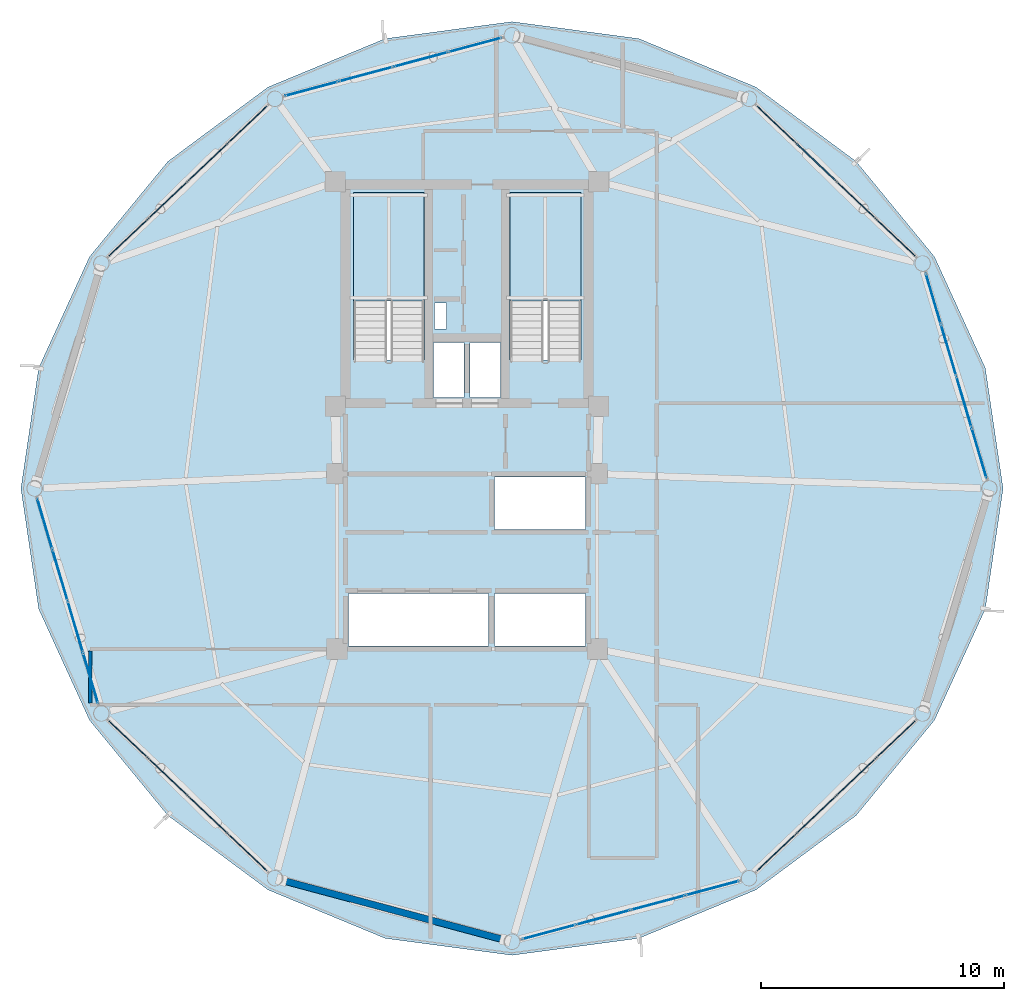
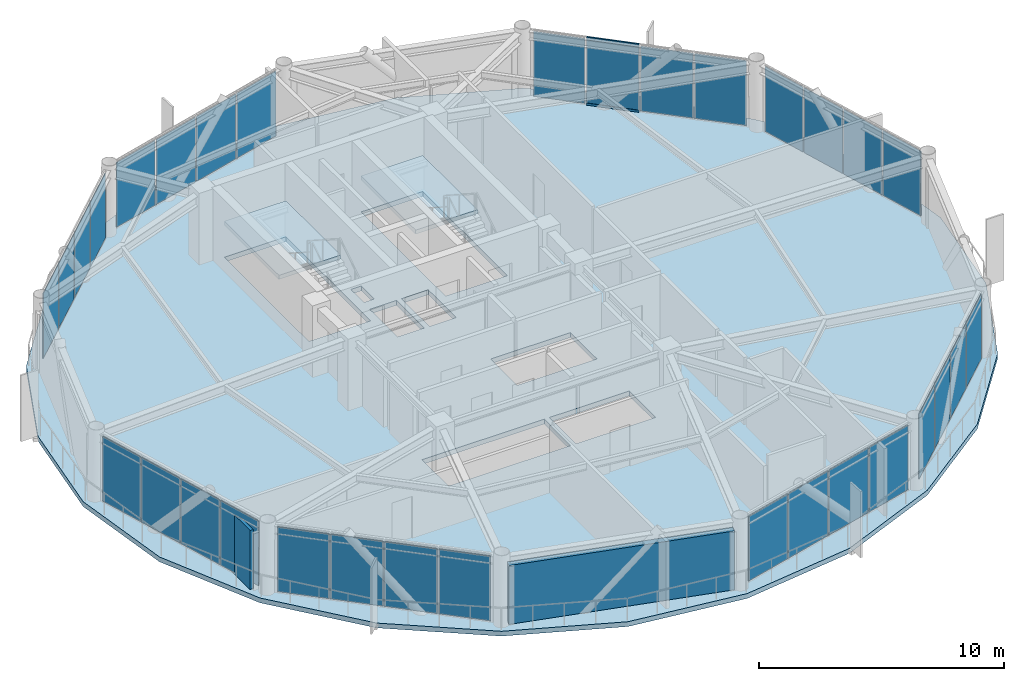
# One storey, part 21 of 28: 32 plates, 3 slabs, 2 members, 2 walls, 10 elements without a shape of their own.
"""IFC4 building model written with IfcOpenShell, lengths in metres."""

from ifc_helpers import new_model, si_unit, direction, frame, frame_2d, origin, origin_2d, place, context, subcontext, project, spatial, polyline, rectangle, hollow_rectangle, outline, extrude, source, transform, mapped, material, layer, layer_set, material_profile, profile_set, type_object, type_shapes, element, aggregate, save


model = new_model("IFC4")

# Units and contexts
model_context = context("Model", 3, precision=1e-05, world=origin(), true_north=direction((0.0, 1.0)))
body_context = subcontext(model_context, "Body", "Model", "MODEL_VIEW")
ifc_project = project(units=[si_unit("LENGTHUNIT", "METRE"), si_unit("AREAUNIT", "SQUARE_METRE"), si_unit("VOLUMEUNIT", "CUBIC_METRE"), si_unit("PLANEANGLEUNIT", "RADIAN"), si_unit("MASSUNIT", "GRAM", prefix="KILO")], contexts=[model_context])

# Site, building, storey
site_placement = place(None, origin())
site = spatial("IfcSite", under=ifc_project, at=site_placement, CompositionType="ELEMENT")
building_placement = place(site_placement, origin())
building = spatial("IfcBuilding", under=site, at=building_placement, Name="Varnakorn Sky Granary", CompositionType="ELEMENT")
storey_placement = place(building_placement, frame((0.0, 0.0, 186.0)))
storey = spatial("IfcBuildingStorey", under=building, at=storey_placement, Name="L46", CompositionType="ELEMENT", Elevation=186.0)

# Curtain wall, members
ifc_material_1 = material(Name="Anodised Bronze Aluminium Alloy 6063-T6", Category="aluminium")
ifc_layer_1 = layer(ifc_material_1, 0.169921875, Name="Anodised Bronze Aluminium Alloy 6063-T6")
ifc_layer_set_1 = layer_set([ifc_layer_1], Name="Anodised Bronze Aluminium Alloy 6063-T6")
curtain_wall_type = type_object("IfcCurtainWallType", Name="CW-LAB-1", PredefinedType="USERDEFINED", material=ifc_layer_set_1)
curtain_wall_1_placement = place(storey_placement, origin())
curtain_wall_1 = element("IfcCurtainWall", 1, at=curtain_wall_1_placement, inside=storey, type_object=curtain_wall_type, Name="Unitised Curtain Wall CW5 CW-L46-B02", ObjectType="CURTAIN WALL", PredefinedType="USERDEFINED")
ifc_material_profile = material_profile(ifc_material_1, hollow_rectangle(XDim=0.070068359375, YDim=0.139892578125, WallThickness=0.00341796875, at=origin_2d()), Name="ALU TRAN 70x140")
ifc_profile_set = profile_set([ifc_material_profile], Name="Anodised Bronze Aluminium Alloy 6063-T6")
member_type = type_object("IfcMemberType", Name="CW-LAB-1-TRAN", PredefinedType="USERDEFINED", material=ifc_profile_set)
member_1_placement = place(storey_placement, frame((16.556396484375, 14.18212890625, 0.034912109375), z_axis=(0.725439559585, -0.688285874757, 0.0), x_axis=(0.688285874757, 0.725439559585, 0.0)))
member_1 = element("IfcMember", 2, at=member_1_placement, type_object=member_type, Name="CW5 transom 2.1", ObjectType="TRANSOM", PredefinedType="USERDEFINED", context=body_context, shape_type="SweptSolid", body=[
    extrude(hollow_rectangle(XDim=0.070068359375, YDim=0.139892578125, WallThickness=0.00341796875, at=origin_2d()), origin(), (0.0, 0.0, 1.0), 2.201416015625),
])
member_2_placement = place(storey_placement, frame((16.556396484375, 14.18212890625, 3.324951171875), z_axis=(0.725439559585, -0.688285874757, 0.0), x_axis=(0.688285874757, 0.725439559585, 0.0)))
member_2 = element("IfcMember", 3, at=member_2_placement, type_object=member_type, Name="CW5 transom 2.2", ObjectType="TRANSOM", PredefinedType="USERDEFINED", context=body_context, shape_type="SweptSolid", body=[
    extrude(hollow_rectangle(XDim=0.070068359375, YDim=0.139892578125, WallThickness=0.00341796875, at=origin_2d()), origin(), (0.0, 0.0, 1.0), 2.201416015625),
])

# Stair, slab
ifc_material_2 = material(Name="Concrete C40/50", Category="concrete")
stair_type = type_object("IfcStairType", Name="ST-MAIN-ASSEMBLY", PredefinedType="HALF_TURN_STAIR", material=ifc_material_2)
stair_1_placement = place(storey_placement, origin())
stair_1 = element("IfcStair", 4, at=stair_1_placement, inside=storey, type_object=stair_type, Name="L46 Protected Exit Stair ST-1", PredefinedType="HALF_TURN_STAIR")
ifc_layer_2 = layer(ifc_material_2, 0.199951171875, Name="Concrete C40/50")
ifc_layer_set_2 = layer_set([ifc_layer_2], Name="Concrete C40/50")
slab_type_1 = type_object("IfcSlabType", Name="ST-MAIN-LAND", PredefinedType="LANDING", material=ifc_layer_set_2)
slab_1_placement = place(storey_placement, frame((0.0, 0.0, 1.60009765625)))
slab_1 = element("IfcSlab", 5, at=slab_1_placement, type_object=slab_type_1, Name="ST-1 landing 1", PredefinedType="LANDING", context=body_context, shape_type="SweptSolid", body=[
    extrude(outline(polyline([(1.239990234375, 7.719970703125), (1.239990234375, 12.179931640625), (-1.669921875, 12.179931640625), (-1.669921875, 7.719970703125), (1.239990234375, 7.719970703125)])), origin(), (0.0, 0.0, 1.0), 0.199951171875),
])
aggregate(stair_1, [slab_1])

stair_2_placement = place(storey_placement, origin())
stair_2 = element("IfcStair", 6, at=stair_2_placement, inside=storey, type_object=stair_type, Name="L46 Protected Exit Stair ST-2", PredefinedType="HALF_TURN_STAIR")
slab_2_placement = place(storey_placement, frame((0.0, 0.0, 1.60009765625)))
slab_2 = element("IfcSlab", 7, at=slab_2_placement, type_object=slab_type_1, Name="ST-2 landing 1", PredefinedType="LANDING", context=body_context, shape_type="SweptSolid", body=[
    extrude(outline(polyline([(7.679931640625, 7.719970703125), (7.679931640625, 12.179931640625), (4.77001953125, 12.179931640625), (4.77001953125, 7.719970703125), (7.679931640625, 7.719970703125)])), origin(), (0.0, 0.0, 1.0), 0.199951171875),
])
aggregate(stair_2, [slab_2])

# Slab
ifc_material_3 = material(Name="Concrete C50/60", Category="concrete")
ifc_layer_3 = layer(ifc_material_3, 0.239990234375, Name="Concrete C50/60")
ifc_layer_set_3 = layer_set([ifc_layer_3], Name="Concrete C50/60")
slab_type_2 = type_object("IfcSlabType", Name="ST-SL-TWR-240", PredefinedType="FLOOR", material=ifc_layer_set_3)
slab_3_placement = place(storey_placement, frame((0.0, 0.0, -0.239990234375)))
element("IfcSlab", 8, at=slab_3_placement, inside=storey, type_object=slab_type_2, Name="Level L46 Structural Floor Slab", PredefinedType="FLOOR", context=body_context, shape_type="SweptSolid", body=[
    extrude(outline(polyline([(25.047119140625, 0.0), (24.315185546875, 4.957275390625), (22.22412109375, 9.531494140625), (19.004150390625, 13.44775390625), (14.881103515625, 16.509033203125), (10.065673828125, 18.50048828125), (4.85009765625, 19.197998046875), (-0.36572265625, 18.50048828125), (-5.180908203125, 16.509033203125), (-9.30419921875, 13.44775390625), (-12.524169921875, 9.531494140625), (-14.615234375, 4.957275390625), (-15.346923828125, 0.0), (-14.615234375, -4.957275390625), (-12.524169921875, -9.531494140625), (-9.30419921875, -13.44775390625), (-5.180908203125, -16.509033203125), (-0.36572265625, -18.50048828125), (4.85009765625, -19.197998046875), (10.065673828125, -18.50048828125), (14.881103515625, -16.509033203125), (19.004150390625, -13.44775390625), (22.22412109375, -9.531494140625), (24.315185546875, -4.957275390625), (25.047119140625, 0.0)]), holes=[polyline([(1.239990234375, 5.27490234375), (1.239990234375, 12.179931640625), (-1.669921875, 12.179931640625), (-1.669921875, 5.27490234375), (1.239990234375, 5.27490234375)]), polyline([(7.679931640625, 5.27490234375), (7.679931640625, 12.179931640625), (4.77001953125, 12.179931640625), (4.77001953125, 5.27490234375), (7.679931640625, 5.27490234375)]), polyline([(1.659912109375, 6.550048828125), (2.14990234375, 6.550048828125), (2.14990234375, 7.6201171875), (1.659912109375, 7.6201171875), (1.659912109375, 6.550048828125)]), polyline([(1.6201171875, 3.739990234375), (2.8798828125, 3.739990234375), (2.8798828125, 6.010009765625), (1.6201171875, 6.010009765625), (1.6201171875, 3.739990234375)]), polyline([(3.1201171875, 3.739990234375), (4.3798828125, 3.739990234375), (4.3798828125, 6.010009765625), (3.1201171875, 6.010009765625), (3.1201171875, 3.739990234375)]), polyline([(4.1201171875, -1.679931640625), (7.8798828125, -1.679931640625), (7.8798828125, 0.47998046875), (4.1201171875, 0.47998046875), (4.1201171875, -1.679931640625)]), polyline([(-1.8798828125, -6.47998046875), (3.8798828125, -6.47998046875), (3.8798828125, -4.320068359375), (-1.8798828125, -4.320068359375), (-1.8798828125, -6.47998046875)]), polyline([(4.1201171875, -6.47998046875), (7.8798828125, -6.47998046875), (7.8798828125, -4.320068359375), (4.1201171875, -4.320068359375), (4.1201171875, -6.47998046875)])]), origin(), (0.0, 0.0, 1.0), 0.239990234375),
])

# Curtain wall, plates
curtain_wall_2_placement = place(storey_placement, origin())
curtain_wall_2 = element("IfcCurtainWall", 9, at=curtain_wall_2_placement, inside=storey, type_object=curtain_wall_type, Name="Unitised Curtain Wall CW5 CW-L46-B01", ObjectType="CURTAIN WALL", PredefinedType="USERDEFINED")
ifc_material_4 = material(Name="Low-E Tinted Laminated Glass", Category="glass")
ifc_layer_4 = layer(ifc_material_4, 0.033935546875, Name="Low-E Tinted Laminated Glass")
ifc_layer_set_4 = layer_set([ifc_layer_4], Name="Low-E Tinted Laminated Glass")
plate_type = type_object("IfcPlateType", Name="CW-LAB-1-PNL", PredefinedType="CURTAIN_PANEL")
shared_shape_1 = source(origin(), body_context, "Body", "SweptSolid", [
    extrude(rectangle(XDim=2.12158203125, YDim=0.033935546875, at=origin_2d()), origin(), (0.0, 0.0, 1.0), 3.219970703125),
])
plate_1_placement = place(storey_placement, frame((22.179443359375, 7.803466796875, 0.06982421875), z_axis=(0.0, 0.0, 1.0), x_axis=(0.28471007465, -0.958613672651, 0.0)))
plate_1 = element("IfcPlate", 10, at=plate_1_placement, type_object=plate_type, material=ifc_layer_set_4, Name="CW5 vision glazing unit 1.1", PredefinedType="CURTAIN_PANEL", context=body_context, shape_type="MappedRepresentation", body=[
    mapped(shared_shape_1, transform((0.0, 0.0, 0.0), x_axis=(1.0, 0.0, 0.0), y_axis=(0.0, 1.0, 0.0), z_axis=(0.0, 0.0, 1.0), scale=1.0)),
])
plate_2_placement = place(storey_placement, frame((24.0654296875, 1.453125, 0.06982421875), z_axis=(0.0, 0.0, 1.0), x_axis=(0.28471007465, -0.958613672651, 0.0)))
plate_2 = element("IfcPlate", 11, at=plate_2_placement, type_object=plate_type, material=ifc_layer_set_4, Name="CW5 vision glazing unit 4.1", PredefinedType="CURTAIN_PANEL", context=body_context, shape_type="MappedRepresentation", body=[
    mapped(shared_shape_1, transform((0.0, 0.0, 0.0), x_axis=(1.0, 0.0, 0.0), y_axis=(0.0, 1.0, 0.0), z_axis=(0.0, 0.0, 1.0), scale=1.0)),
])

curtain_wall_3_placement = place(storey_placement, origin())
curtain_wall_3 = element("IfcCurtainWall", 12, at=curtain_wall_3_placement, inside=storey, type_object=curtain_wall_type, Name="Unitised Curtain Wall CW5 CW-L46-B07", ObjectType="CURTAIN WALL", PredefinedType="USERDEFINED")
plate_3_placement = place(storey_placement, frame((-12.4794921875, -7.803466796875, 0.06982421875), z_axis=(0.0, 0.0, 1.0), x_axis=(-0.28471007465, 0.958613672651, 0.0)))
plate_3 = element("IfcPlate", 13, at=plate_3_placement, type_object=plate_type, material=ifc_layer_set_4, Name="CW5 vision glazing unit 1.1", PredefinedType="CURTAIN_PANEL", context=body_context, shape_type="MappedRepresentation", body=[
    mapped(shared_shape_1, transform((0.0, 0.0, 0.0), x_axis=(1.0, 0.0, 0.0), y_axis=(0.0, 1.0, 0.0), z_axis=(0.0, 0.0, 1.0), scale=1.0)),
])
plate_4_placement = place(storey_placement, frame((-14.365478515625, -1.453125, 0.06982421875), z_axis=(0.0, 0.0, 1.0), x_axis=(-0.28471007465, 0.958613672651, 0.0)))
plate_4 = element("IfcPlate", 14, at=plate_4_placement, type_object=plate_type, material=ifc_layer_set_4, Name="CW5 vision glazing unit 4.1", PredefinedType="CURTAIN_PANEL", context=body_context, shape_type="MappedRepresentation", body=[
    mapped(shared_shape_1, transform((0.0, 0.0, 0.0), x_axis=(1.0, 0.0, 0.0), y_axis=(0.0, 1.0, 0.0), z_axis=(0.0, 0.0, 1.0), scale=1.0)),
])

# Plate
ifc_material_5 = material(Name="Opaque Insulated Aluminium Shadow-Box Unit", Category="aluminium")
ifc_layer_5 = layer(ifc_material_5, 0.033935546875, Name="Opaque Insulated Aluminium Shadow-Box Unit")
ifc_layer_set_5 = layer_set([ifc_layer_5], Name="Opaque Insulated Aluminium Shadow-Box Unit")
shared_shape_2 = source(origin(), body_context, "Body", "SweptSolid", [
    extrude(rectangle(XDim=2.154052734375, YDim=0.033935546875, at=origin_2d()), origin(), (0.0, 0.0, 1.0), 3.219970703125),
])
plate_5_placement = place(storey_placement, frame((22.806640625, 5.69189453125, 0.06982421875), z_axis=(0.0, 0.0, 1.0), x_axis=(0.28471007465, -0.958613672651, 0.0)))
plate_5 = element("IfcPlate", 15, at=plate_5_placement, type_object=plate_type, material=ifc_layer_set_5, Name="CW5 opaque insulated shadow-box unit 2.1", PredefinedType="CURTAIN_PANEL", context=body_context, shape_type="MappedRepresentation", body=[
    mapped(shared_shape_2, transform((0.0, 0.0, 0.0), x_axis=(1.0, 0.0, 0.0), y_axis=(0.0, 1.0, 0.0), z_axis=(0.0, 0.0, 1.0), scale=1.0)),
])

plate_6_placement = place(storey_placement, frame((23.438232421875, 3.564697265625, 0.06982421875), z_axis=(0.0, 0.0, 1.0), x_axis=(0.28471007465, -0.958613672651, 0.0)))
plate_6 = element("IfcPlate", 16, at=plate_6_placement, type_object=plate_type, material=ifc_layer_set_5, Name="CW5 opaque insulated shadow-box unit 3.1", PredefinedType="CURTAIN_PANEL", context=body_context, shape_type="MappedRepresentation", body=[
    mapped(shared_shape_2, transform((0.0, 0.0, 0.0), x_axis=(1.0, 0.0, 0.0), y_axis=(0.0, 1.0, 0.0), z_axis=(0.0, 0.0, 1.0), scale=1.0)),
])

aggregate(curtain_wall_2, [plate_1, plate_5, plate_6, plate_2])

plate_7_placement = place(storey_placement, frame((-13.1064453125, -5.69189453125, 0.06982421875), z_axis=(0.0, 0.0, 1.0), x_axis=(-0.28471007465, 0.958613672651, 0.0)))
plate_7 = element("IfcPlate", 17, at=plate_7_placement, type_object=plate_type, material=ifc_layer_set_5, Name="CW5 opaque insulated shadow-box unit 2.1", PredefinedType="CURTAIN_PANEL", context=body_context, shape_type="MappedRepresentation", body=[
    mapped(shared_shape_2, transform((0.0, 0.0, 0.0), x_axis=(1.0, 0.0, 0.0), y_axis=(0.0, 1.0, 0.0), z_axis=(0.0, 0.0, 1.0), scale=1.0)),
])

plate_8_placement = place(storey_placement, frame((-13.73828125, -3.564697265625, 0.06982421875), z_axis=(0.0, 0.0, 1.0), x_axis=(-0.28471007465, 0.958613672651, 0.0)))
plate_8 = element("IfcPlate", 18, at=plate_8_placement, type_object=plate_type, material=ifc_layer_set_5, Name="CW5 opaque insulated shadow-box unit 3.1", PredefinedType="CURTAIN_PANEL", context=body_context, shape_type="MappedRepresentation", body=[
    mapped(shared_shape_2, transform((0.0, 0.0, 0.0), x_axis=(1.0, 0.0, 0.0), y_axis=(0.0, 1.0, 0.0), z_axis=(0.0, 0.0, 1.0), scale=1.0)),
])

aggregate(curtain_wall_3, [plate_3, plate_7, plate_8, plate_4])

shared_shape_3 = source(origin(), body_context, "Body", "SweptSolid", [
    extrude(rectangle(XDim=2.168701171875, YDim=0.033935546875, at=origin_2d()), origin(), (0.0, 0.0, 1.0), 3.219970703125),
])
plate_9_placement = place(storey_placement, frame((15.72265625, 14.97314453125, 0.06982421875), z_axis=(0.0, 0.0, 1.0), x_axis=(0.725434180325, -0.688291544345, 0.0)))
plate_9 = element("IfcPlate", 19, at=plate_9_placement, type_object=plate_type, material=ifc_layer_set_4, Name="CW5 vision glazing unit 1.1", PredefinedType="CURTAIN_PANEL", context=body_context, shape_type="MappedRepresentation", body=[
    mapped(shared_shape_3, transform((0.0, 0.0, 0.0), x_axis=(1.0, 0.0, 0.0), y_axis=(0.0, 1.0, 0.0), z_axis=(0.0, 0.0, 1.0), scale=1.0)),
])

plate_10_placement = place(storey_placement, frame((20.631103515625, 10.31591796875, 0.06982421875), z_axis=(0.0, 0.0, 1.0), x_axis=(0.725434180325, -0.688291544345, 0.0)))
plate_10 = element("IfcPlate", 20, at=plate_10_placement, type_object=plate_type, material=ifc_layer_set_4, Name="CW5 vision glazing unit 4.1", PredefinedType="CURTAIN_PANEL", context=body_context, shape_type="MappedRepresentation", body=[
    mapped(shared_shape_3, transform((0.0, 0.0, 0.0), x_axis=(1.0, 0.0, 0.0), y_axis=(0.0, 1.0, 0.0), z_axis=(0.0, 0.0, 1.0), scale=1.0)),
])

# Curtain wall, plates
curtain_wall_4_placement = place(storey_placement, origin())
curtain_wall_4 = element("IfcCurtainWall", 21, at=curtain_wall_4_placement, inside=storey, type_object=curtain_wall_type, Name="Unitised Curtain Wall CW5 CW-L46-B05", ObjectType="CURTAIN WALL", PredefinedType="USERDEFINED")
plate_11_placement = place(storey_placement, frame((-10.93115234375, 10.31591796875, 0.06982421875), z_axis=(0.0, 0.0, 1.0), x_axis=(0.725434180325, 0.688291544345, 0.0)))
plate_11 = element("IfcPlate", 22, at=plate_11_placement, type_object=plate_type, material=ifc_layer_set_4, Name="CW5 vision glazing unit 1.1", PredefinedType="CURTAIN_PANEL", context=body_context, shape_type="MappedRepresentation", body=[
    mapped(shared_shape_3, transform((0.0, 0.0, 0.0), x_axis=(1.0, 0.0, 0.0), y_axis=(0.0, 1.0, 0.0), z_axis=(0.0, 0.0, 1.0), scale=1.0)),
])
plate_12_placement = place(storey_placement, frame((-6.022705078125, 14.97314453125, 0.06982421875), z_axis=(0.0, 0.0, 1.0), x_axis=(0.725434180325, 0.688291544345, 0.0)))
plate_12 = element("IfcPlate", 23, at=plate_12_placement, type_object=plate_type, material=ifc_layer_set_4, Name="CW5 vision glazing unit 4.1", PredefinedType="CURTAIN_PANEL", context=body_context, shape_type="MappedRepresentation", body=[
    mapped(shared_shape_3, transform((0.0, 0.0, 0.0), x_axis=(1.0, 0.0, 0.0), y_axis=(0.0, 1.0, 0.0), z_axis=(0.0, 0.0, 1.0), scale=1.0)),
])

curtain_wall_5_placement = place(storey_placement, origin())
curtain_wall_5 = element("IfcCurtainWall", 24, at=curtain_wall_5_placement, inside=storey, type_object=curtain_wall_type, Name="Unitised Curtain Wall CW5 CW-L46-B08", ObjectType="CURTAIN WALL", PredefinedType="USERDEFINED")
plate_13_placement = place(storey_placement, frame((-6.022705078125, -14.97314453125, 0.06982421875), z_axis=(0.0, 0.0, 1.0), x_axis=(-0.725434180325, 0.688291544345, 0.0)))
plate_13 = element("IfcPlate", 25, at=plate_13_placement, type_object=plate_type, material=ifc_layer_set_4, Name="CW5 vision glazing unit 1.1", PredefinedType="CURTAIN_PANEL", context=body_context, shape_type="MappedRepresentation", body=[
    mapped(shared_shape_3, transform((0.0, 0.0, 0.0), x_axis=(1.0, 0.0, 0.0), y_axis=(0.0, 1.0, 0.0), z_axis=(0.0, 0.0, 1.0), scale=1.0)),
])
plate_14_placement = place(storey_placement, frame((-10.93115234375, -10.31591796875, 0.06982421875), z_axis=(0.0, 0.0, 1.0), x_axis=(-0.725434180325, 0.688291544345, 0.0)))
plate_14 = element("IfcPlate", 26, at=plate_14_placement, type_object=plate_type, material=ifc_layer_set_4, Name="CW5 vision glazing unit 4.1", PredefinedType="CURTAIN_PANEL", context=body_context, shape_type="MappedRepresentation", body=[
    mapped(shared_shape_3, transform((0.0, 0.0, 0.0), x_axis=(1.0, 0.0, 0.0), y_axis=(0.0, 1.0, 0.0), z_axis=(0.0, 0.0, 1.0), scale=1.0)),
])

curtain_wall_6_placement = place(storey_placement, origin())
curtain_wall_6 = element("IfcCurtainWall", 27, at=curtain_wall_6_placement, inside=storey, type_object=curtain_wall_type, Name="Unitised Curtain Wall CW5 CW-L46-B11", ObjectType="CURTAIN WALL", PredefinedType="USERDEFINED")
plate_15_placement = place(storey_placement, frame((20.631103515625, -10.31591796875, 0.06982421875), z_axis=(0.0, 0.0, 1.0), x_axis=(-0.725434180325, -0.688291544345, 0.0)))
plate_15 = element("IfcPlate", 28, at=plate_15_placement, type_object=plate_type, material=ifc_layer_set_4, Name="CW5 vision glazing unit 1.1", PredefinedType="CURTAIN_PANEL", context=body_context, shape_type="MappedRepresentation", body=[
    mapped(shared_shape_3, transform((0.0, 0.0, 0.0), x_axis=(1.0, 0.0, 0.0), y_axis=(0.0, 1.0, 0.0), z_axis=(0.0, 0.0, 1.0), scale=1.0)),
])
plate_16_placement = place(storey_placement, frame((15.72265625, -14.97314453125, 0.06982421875), z_axis=(0.0, 0.0, 1.0), x_axis=(-0.725434180325, -0.688291544345, 0.0)))
plate_16 = element("IfcPlate", 29, at=plate_16_placement, type_object=plate_type, material=ifc_layer_set_4, Name="CW5 vision glazing unit 4.1", PredefinedType="CURTAIN_PANEL", context=body_context, shape_type="MappedRepresentation", body=[
    mapped(shared_shape_3, transform((0.0, 0.0, 0.0), x_axis=(1.0, 0.0, 0.0), y_axis=(0.0, 1.0, 0.0), z_axis=(0.0, 0.0, 1.0), scale=1.0)),
])

# Plate
shared_shape_4 = source(origin(), body_context, "Body", "SweptSolid", [
    extrude(rectangle(XDim=2.201171875, YDim=0.033935546875, at=origin_2d()), origin(), (0.0, 0.0, 1.0), 3.219970703125),
])
plate_17_placement = place(storey_placement, frame((17.35498046875, 13.424560546875, 0.06982421875), z_axis=(0.0, 0.0, 1.0), x_axis=(0.725434180325, -0.688291544345, 0.0)))
plate_17 = element("IfcPlate", 30, at=plate_17_placement, type_object=plate_type, material=ifc_layer_set_5, Name="CW5 opaque insulated shadow-box unit 2.1", PredefinedType="CURTAIN_PANEL", context=body_context, shape_type="MappedRepresentation", body=[
    mapped(shared_shape_4, transform((0.0, 0.0, 0.0), x_axis=(1.0, 0.0, 0.0), y_axis=(0.0, 1.0, 0.0), z_axis=(0.0, 0.0, 1.0), scale=1.0)),
])

plate_18_placement = place(storey_placement, frame((18.9990234375, 11.86474609375, 0.06982421875), z_axis=(0.0, 0.0, 1.0), x_axis=(0.725434180325, -0.688291544345, 0.0)))
plate_18 = element("IfcPlate", 31, at=plate_18_placement, type_object=plate_type, material=ifc_layer_set_5, Name="CW5 opaque insulated shadow-box unit 3.1", PredefinedType="CURTAIN_PANEL", context=body_context, shape_type="MappedRepresentation", body=[
    mapped(shared_shape_4, transform((0.0, 0.0, 0.0), x_axis=(1.0, 0.0, 0.0), y_axis=(0.0, 1.0, 0.0), z_axis=(0.0, 0.0, 1.0), scale=1.0)),
])

aggregate(curtain_wall_1, [plate_9, member_1, member_2, plate_17, plate_18, plate_10])

plate_19_placement = place(storey_placement, frame((-9.299072265625, 11.86474609375, 0.06982421875), z_axis=(0.0, 0.0, 1.0), x_axis=(0.725434180325, 0.688291544345, 0.0)))
plate_19 = element("IfcPlate", 32, at=plate_19_placement, type_object=plate_type, material=ifc_layer_set_5, Name="CW5 opaque insulated shadow-box unit 2.1", PredefinedType="CURTAIN_PANEL", context=body_context, shape_type="MappedRepresentation", body=[
    mapped(shared_shape_4, transform((0.0, 0.0, 0.0), x_axis=(1.0, 0.0, 0.0), y_axis=(0.0, 1.0, 0.0), z_axis=(0.0, 0.0, 1.0), scale=1.0)),
])

plate_20_placement = place(storey_placement, frame((-7.655029296875, 13.424560546875, 0.06982421875), z_axis=(0.0, 0.0, 1.0), x_axis=(0.725434180325, 0.688291544345, 0.0)))
plate_20 = element("IfcPlate", 33, at=plate_20_placement, type_object=plate_type, material=ifc_layer_set_5, Name="CW5 opaque insulated shadow-box unit 3.1", PredefinedType="CURTAIN_PANEL", context=body_context, shape_type="MappedRepresentation", body=[
    mapped(shared_shape_4, transform((0.0, 0.0, 0.0), x_axis=(1.0, 0.0, 0.0), y_axis=(0.0, 1.0, 0.0), z_axis=(0.0, 0.0, 1.0), scale=1.0)),
])

aggregate(curtain_wall_4, [plate_11, plate_19, plate_20, plate_12])

plate_21_placement = place(storey_placement, frame((-7.655029296875, -13.424560546875, 0.06982421875), z_axis=(0.0, 0.0, 1.0), x_axis=(-0.725434180325, 0.688291544345, 0.0)))
plate_21 = element("IfcPlate", 34, at=plate_21_placement, type_object=plate_type, material=ifc_layer_set_5, Name="CW5 opaque insulated shadow-box unit 2.1", PredefinedType="CURTAIN_PANEL", context=body_context, shape_type="MappedRepresentation", body=[
    mapped(shared_shape_4, transform((0.0, 0.0, 0.0), x_axis=(1.0, 0.0, 0.0), y_axis=(0.0, 1.0, 0.0), z_axis=(0.0, 0.0, 1.0), scale=1.0)),
])

plate_22_placement = place(storey_placement, frame((-9.299072265625, -11.86474609375, 0.06982421875), z_axis=(0.0, 0.0, 1.0), x_axis=(-0.725434180325, 0.688291544345, 0.0)))
plate_22 = element("IfcPlate", 35, at=plate_22_placement, type_object=plate_type, material=ifc_layer_set_5, Name="CW5 opaque insulated shadow-box unit 3.1", PredefinedType="CURTAIN_PANEL", context=body_context, shape_type="MappedRepresentation", body=[
    mapped(shared_shape_4, transform((0.0, 0.0, 0.0), x_axis=(1.0, 0.0, 0.0), y_axis=(0.0, 1.0, 0.0), z_axis=(0.0, 0.0, 1.0), scale=1.0)),
])

aggregate(curtain_wall_5, [plate_13, plate_21, plate_22, plate_14])

plate_23_placement = place(storey_placement, frame((18.9990234375, -11.86474609375, 0.06982421875), z_axis=(0.0, 0.0, 1.0), x_axis=(-0.725434180325, -0.688291544345, 0.0)))
plate_23 = element("IfcPlate", 36, at=plate_23_placement, type_object=plate_type, material=ifc_layer_set_5, Name="CW5 opaque insulated shadow-box unit 2.1", PredefinedType="CURTAIN_PANEL", context=body_context, shape_type="MappedRepresentation", body=[
    mapped(shared_shape_4, transform((0.0, 0.0, 0.0), x_axis=(1.0, 0.0, 0.0), y_axis=(0.0, 1.0, 0.0), z_axis=(0.0, 0.0, 1.0), scale=1.0)),
])

plate_24_placement = place(storey_placement, frame((17.35498046875, -13.424560546875, 0.06982421875), z_axis=(0.0, 0.0, 1.0), x_axis=(-0.725434180325, -0.688291544345, 0.0)))
plate_24 = element("IfcPlate", 37, at=plate_24_placement, type_object=plate_type, material=ifc_layer_set_5, Name="CW5 opaque insulated shadow-box unit 3.1", PredefinedType="CURTAIN_PANEL", context=body_context, shape_type="MappedRepresentation", body=[
    mapped(shared_shape_4, transform((0.0, 0.0, 0.0), x_axis=(1.0, 0.0, 0.0), y_axis=(0.0, 1.0, 0.0), z_axis=(0.0, 0.0, 1.0), scale=1.0)),
])

aggregate(curtain_wall_6, [plate_15, plate_23, plate_24, plate_16])

# Curtain wall, plates
curtain_wall_7_placement = place(storey_placement, origin())
curtain_wall_7 = element("IfcCurtainWall", 38, at=curtain_wall_7_placement, inside=storey, type_object=curtain_wall_type, Name="Unitised Curtain Wall CW5 CW-L46-B04", ObjectType="CURTAIN WALL", PredefinedType="USERDEFINED")
shared_shape_5 = source(origin(), body_context, "Body", "SweptSolid", [
    extrude(rectangle(XDim=2.232666015625, YDim=0.033935546875, at=origin_2d()), origin(), (0.0, 0.0, 1.0), 3.219970703125),
])
plate_25_placement = place(storey_placement, frame((-3.38818359375, 16.439453125, 0.06982421875), z_axis=(0.0, 0.0, 1.0), x_axis=(0.965897372258, 0.258925213654, 0.0)))
plate_25 = element("IfcPlate", 39, at=plate_25_placement, type_object=plate_type, material=ifc_layer_set_4, Name="CW5 vision glazing unit 1.1", PredefinedType="CURTAIN_PANEL", context=body_context, shape_type="MappedRepresentation", body=[
    mapped(shared_shape_5, transform((0.0, 0.0, 0.0), x_axis=(1.0, 0.0, 0.0), y_axis=(0.0, 1.0, 0.0), z_axis=(0.0, 0.0, 1.0), scale=1.0)),
])
plate_26_placement = place(storey_placement, frame((3.332275390625, 18.2412109375, 0.06982421875), z_axis=(0.0, 0.0, 1.0), x_axis=(0.965897372258, 0.258925213654, 0.0)))
plate_26 = element("IfcPlate", 40, at=plate_26_placement, type_object=plate_type, material=ifc_layer_set_4, Name="CW5 vision glazing unit 4.1", PredefinedType="CURTAIN_PANEL", context=body_context, shape_type="MappedRepresentation", body=[
    mapped(shared_shape_5, transform((0.0, 0.0, 0.0), x_axis=(1.0, 0.0, 0.0), y_axis=(0.0, 1.0, 0.0), z_axis=(0.0, 0.0, 1.0), scale=1.0)),
])

curtain_wall_8_placement = place(storey_placement, origin())
curtain_wall_8 = element("IfcCurtainWall", 41, at=curtain_wall_8_placement, inside=storey, type_object=curtain_wall_type, Name="Unitised Curtain Wall CW5 CW-L46-B10", ObjectType="CURTAIN WALL", PredefinedType="USERDEFINED")
plate_27_placement = place(storey_placement, frame((13.08837890625, -16.439453125, 0.06982421875), z_axis=(0.0, 0.0, 1.0), x_axis=(-0.965897372258, -0.258925213654, 0.0)))
plate_27 = element("IfcPlate", 42, at=plate_27_placement, type_object=plate_type, material=ifc_layer_set_4, Name="CW5 vision glazing unit 1.1", PredefinedType="CURTAIN_PANEL", context=body_context, shape_type="MappedRepresentation", body=[
    mapped(shared_shape_5, transform((0.0, 0.0, 0.0), x_axis=(1.0, 0.0, 0.0), y_axis=(0.0, 1.0, 0.0), z_axis=(0.0, 0.0, 1.0), scale=1.0)),
])
plate_28_placement = place(storey_placement, frame((6.36767578125, -18.2412109375, 0.06982421875), z_axis=(0.0, 0.0, 1.0), x_axis=(-0.965897372258, -0.258925213654, 0.0)))
plate_28 = element("IfcPlate", 43, at=plate_28_placement, type_object=plate_type, material=ifc_layer_set_4, Name="CW5 vision glazing unit 4.1", PredefinedType="CURTAIN_PANEL", context=body_context, shape_type="MappedRepresentation", body=[
    mapped(shared_shape_5, transform((0.0, 0.0, 0.0), x_axis=(1.0, 0.0, 0.0), y_axis=(0.0, 1.0, 0.0), z_axis=(0.0, 0.0, 1.0), scale=1.0)),
])

# Plate
shared_shape_6 = source(origin(), body_context, "Body", "SweptSolid", [
    extrude(rectangle(XDim=2.26513671875, YDim=0.033935546875, at=origin_2d()), origin(), (0.0, 0.0, 1.0), 3.219970703125),
])
type_shapes(plate_type, [shared_shape_1, shared_shape_2, shared_shape_3, shared_shape_4, shared_shape_5, shared_shape_6])
plate_29_placement = place(storey_placement, frame((-1.1533203125, 17.03857421875, 0.06982421875), z_axis=(0.0, 0.0, 1.0), x_axis=(0.965897372258, 0.258925213654, 0.0)))
plate_29 = element("IfcPlate", 44, at=plate_29_placement, type_object=plate_type, material=ifc_layer_set_5, Name="CW5 opaque insulated shadow-box unit 2.1", PredefinedType="CURTAIN_PANEL", context=body_context, shape_type="MappedRepresentation", body=[
    mapped(shared_shape_6, transform((0.0, 0.0, 0.0), x_axis=(1.0, 0.0, 0.0), y_axis=(0.0, 1.0, 0.0), z_axis=(0.0, 0.0, 1.0), scale=1.0)),
])

plate_30_placement = place(storey_placement, frame((1.097412109375, 17.64208984375, 0.06982421875), z_axis=(0.0, 0.0, 1.0), x_axis=(0.965897372258, 0.258925213654, 0.0)))
plate_30 = element("IfcPlate", 45, at=plate_30_placement, type_object=plate_type, material=ifc_layer_set_5, Name="CW5 opaque insulated shadow-box unit 3.1", PredefinedType="CURTAIN_PANEL", context=body_context, shape_type="MappedRepresentation", body=[
    mapped(shared_shape_6, transform((0.0, 0.0, 0.0), x_axis=(1.0, 0.0, 0.0), y_axis=(0.0, 1.0, 0.0), z_axis=(0.0, 0.0, 1.0), scale=1.0)),
])

aggregate(curtain_wall_7, [plate_25, plate_29, plate_30, plate_26])

plate_31_placement = place(storey_placement, frame((10.853271484375, -17.03857421875, 0.06982421875), z_axis=(0.0, 0.0, 1.0), x_axis=(-0.965897372258, -0.258925213654, 0.0)))
plate_31 = element("IfcPlate", 46, at=plate_31_placement, type_object=plate_type, material=ifc_layer_set_5, Name="CW5 opaque insulated shadow-box unit 2.1", PredefinedType="CURTAIN_PANEL", context=body_context, shape_type="MappedRepresentation", body=[
    mapped(shared_shape_6, transform((0.0, 0.0, 0.0), x_axis=(1.0, 0.0, 0.0), y_axis=(0.0, 1.0, 0.0), z_axis=(0.0, 0.0, 1.0), scale=1.0)),
])

plate_32_placement = place(storey_placement, frame((8.602783203125, -17.64208984375, 0.06982421875), z_axis=(0.0, 0.0, 1.0), x_axis=(-0.965897372258, -0.258925213654, 0.0)))
plate_32 = element("IfcPlate", 47, at=plate_32_placement, type_object=plate_type, material=ifc_layer_set_5, Name="CW5 opaque insulated shadow-box unit 3.1", PredefinedType="CURTAIN_PANEL", context=body_context, shape_type="MappedRepresentation", body=[
    mapped(shared_shape_6, transform((0.0, 0.0, 0.0), x_axis=(1.0, 0.0, 0.0), y_axis=(0.0, 1.0, 0.0), z_axis=(0.0, 0.0, 1.0), scale=1.0)),
])

aggregate(curtain_wall_8, [plate_27, plate_31, plate_32, plate_28])

# Walls
ifc_material_6 = material(Name="Precast concrete C40/50", Category="concrete")
ifc_layer_6 = layer(ifc_material_6, 0.280029296875, Name="Precast concrete C40/50")
ifc_layer_set_6 = layer_set([ifc_layer_6], Name="Precast concrete C40/50")
wall_type_1 = type_object("IfcWallType", Name="WT-EW-CRN-280", PredefinedType="SOLIDWALL", material=ifc_layer_set_6)
wall_1_placement = place(storey_placement, frame((4.57470703125, -18.57421875, 0.0), z_axis=(0.0, 0.0, 1.0), x_axis=(-0.965893953181, 0.258937967876, 0.0)))
element("IfcWall", 48, at=wall_1_placement, inside=storey, type_object=wall_type_1, Name="Agritech Insulated Precast Facade Wall L46-P09", PredefinedType="SOLIDWALL", context=body_context, shape_type="SweptSolid", body=[
    extrude(rectangle(XDim=9.5302734375, YDim=0.280029296875, at=frame_2d((4.76513671875, 0.0))), origin(), (0.0, 0.0, 1.0), 2.929931640625),
])
ifc_material_7 = material(Name="Gypsum Plasterboard on Steel Stud", Category="steel")
ifc_layer_7 = layer(ifc_material_7, 0.14990234375, Name="Gypsum Plasterboard on Steel Stud")
ifc_layer_set_7 = layer_set([ifc_layer_7], Name="Gypsum Plasterboard on Steel Stud")
wall_type_2 = type_object("IfcWallType", Name="WT-PART-150", PredefinedType="PARTITIONING", material=ifc_layer_set_7)
wall_2_placement = place(storey_placement, frame((-12.5, -6.68505859375, 0.0), z_axis=(0.0, 0.0, 1.0), x_axis=(0.0, -1.0, 0.0)))
element("IfcWall", 49, at=wall_2_placement, inside=storey, type_object=wall_type_2, Name="Interior Partition Wall L46-038", PredefinedType="PARTITIONING", context=body_context, shape_type="SweptSolid", body=[
    extrude(rectangle(XDim=2.1298828125, YDim=0.14990234375, at=frame_2d((1.06494140625, 0.0))), origin(), (0.0, 0.0, 1.0), 2.94189453125),
])

save(model, "model.ifc")
